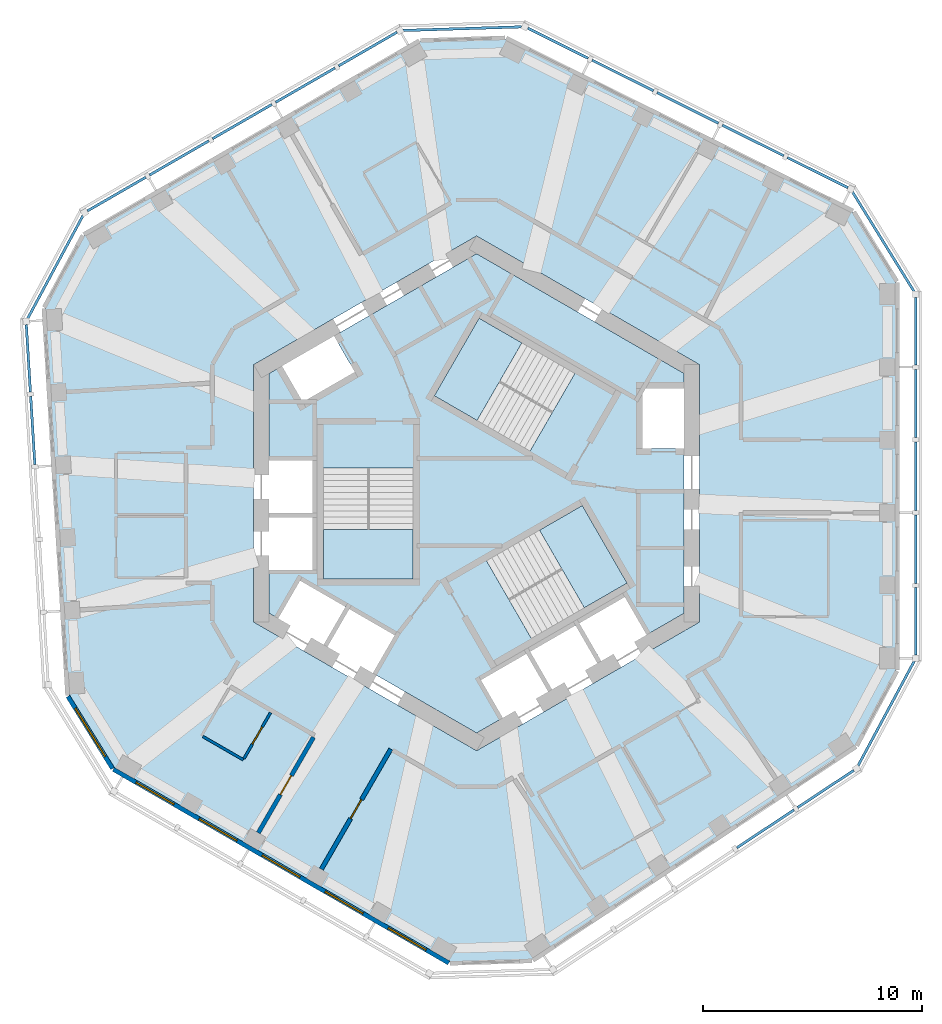
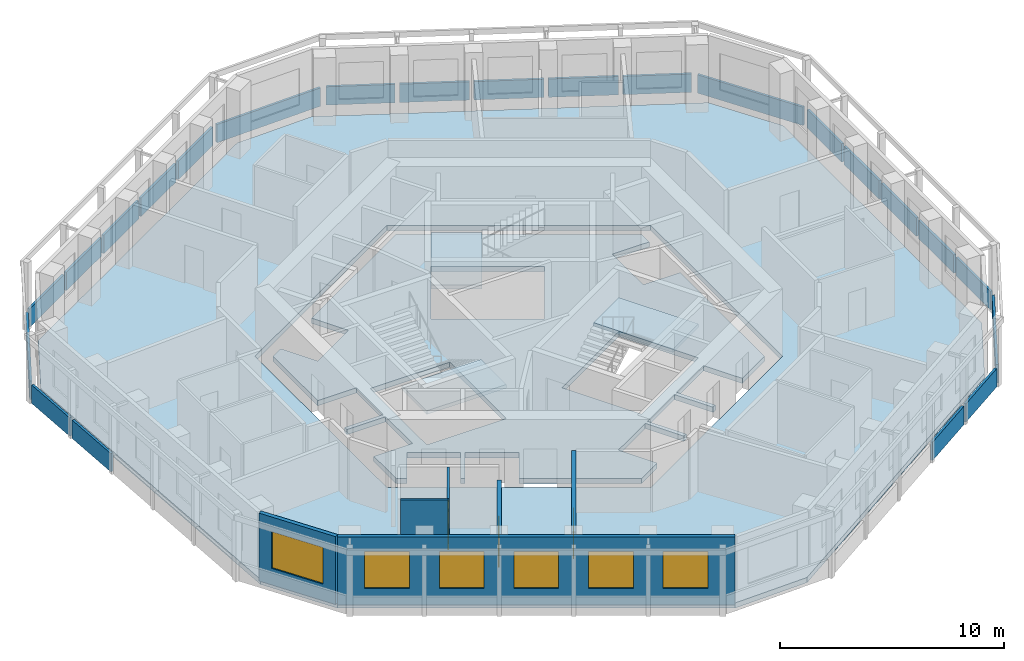
# One storey, part 3 of 11: 23 plates, 6 walls, 6 windows, 5 slabs, 3 doors, 9 openings, 12 elements without a shape of their own.
"""IFC4 building model written with IfcOpenShell, lengths in metres."""

from ifc_helpers import new_model, si_unit, direction, frame, frame_2d, origin, origin_2d, place, context, subcontext, project, spatial, polyline, rectangle, outline, extrude, material, layer, layer_set, type_object, element, fill, aggregate, save


model = new_model("IFC4")

# Units and contexts
model_context = context("Model", 3, precision=1e-05, world=origin(), true_north=direction((0.0, 1.0)))
body_context = subcontext(model_context, "Body", "Model", "MODEL_VIEW")
ifc_project = project(units=[si_unit("LENGTHUNIT", "METRE"), si_unit("AREAUNIT", "SQUARE_METRE"), si_unit("VOLUMEUNIT", "CUBIC_METRE"), si_unit("PLANEANGLEUNIT", "RADIAN"), si_unit("MASSUNIT", "GRAM", prefix="KILO")], contexts=[model_context])

# Site, building, storey
site_placement = place(None, origin())
site = spatial("IfcSite", under=ifc_project, at=site_placement, CompositionType="ELEMENT")
building_placement = place(site_placement, origin())
building = spatial("IfcBuilding", under=site, at=building_placement, Name="Vanh Sen Convention Tower", CompositionType="ELEMENT")
storey_placement = place(building_placement, frame((0.0, 0.0, 274.60009765625)))
storey = spatial("IfcBuildingStorey", under=building, at=storey_placement, Name="L68", CompositionType="ELEMENT", Elevation=274.60009765625)

# Slabs
ifc_material_1 = material(Name="Concrete C40/50", Category="concrete")
ifc_layer_1 = layer(ifc_material_1, 0.280029296875)
ifc_layer_set_1 = layer_set([ifc_layer_1], Name="Concrete C40/50")
slab_type_1 = type_object("IfcSlabType", Name="Core slab 280", PredefinedType="FLOOR", material=ifc_layer_set_1)
slab_1_placement = place(storey_placement, frame((0.0, 0.0, -0.280029296875)))
element("IfcSlab", 1, at=slab_1_placement, inside=storey, type_object=slab_type_1, Name="Core slab L68", PredefinedType="FLOOR", context=body_context, shape_type="SweptSolid", body=[
    extrude(outline(polyline([(0.0, 10.9697265625), (9.5, 5.48486328125), (9.5, 4.800048828125), (7.60009765625, 4.800048828125), (7.60009765625, 2.050048828125), (9.5, 2.050048828125), (9.5, -5.48486328125), (7.781005859375, -6.477294921875), (6.781005859375, -4.7451171875), (4.70263671875, -5.9453125), (5.70263671875, -7.67724609375), (5.529296875, -7.777099609375), (4.529296875, -6.045166015625), (2.450927734375, -7.2451171875), (3.450927734375, -8.977294921875), (3.27783203125, -9.0771484375), (2.27783203125, -7.34521484375), (0.19921875, -8.545166015625), (1.19921875, -10.277099609375), (0.0, -10.9697265625), (-4.75, -8.227294921875), (-3.75, -6.4951171875), (-5.82861328125, -5.295166015625), (-6.82861328125, -7.027099609375), (-7.001708984375, -6.92724609375), (-6.001708984375, -5.1953125), (-8.080078125, -3.9951171875), (-9.080078125, -5.727294921875), (-9.5, -5.48486328125), (-9.5, -3.5), (-7.5, -3.5), (-7.5, -1.10009765625), (-9.5, -1.10009765625), (-9.5, -0.89990234375), (-7.5, -0.89990234375), (-7.5, 1.5), (-9.5, 1.5), (-9.5, 5.48486328125), (-8.906982421875, 5.8271484375), (-7.956787109375, 4.181884765625), (-5.575439453125, 5.556884765625), (-6.525390625, 7.2021484375), (0.0, 10.9697265625)]), holes=[polyline([(-7.0, 1.1494140625), (-7.0, -3.909912109375), (-2.89990234375, -3.909912109375), (-2.89990234375, 1.1494140625), (-7.0, 1.1494140625)]), polyline([(2.504638671875, -6.63671875), (6.88623046875, -4.107177734375), (4.836181640625, -0.556396484375), (0.45458984375, -3.086181640625), (2.504638671875, -6.63671875)]), polyline([(0.11376953125, 8.01708984375), (-1.936279296875, 4.466552734375), (2.4453125, 1.936767578125), (4.495361328125, 5.487548828125), (0.11376953125, 8.01708984375)])]), origin(), (0.0, 0.0, 1.0), 0.280029296875),
])
ifc_layer_2 = layer(ifc_material_1, 0.280029296875)
ifc_layer_set_2 = layer_set([ifc_layer_2], Name="Concrete C40/50")
slab_type_2 = type_object("IfcSlabType", Name="Floor slab 280 REI 120", PredefinedType="FLOOR", material=ifc_layer_set_2)
slab_2_placement = place(storey_placement, frame((0.0, 0.0, -0.280029296875)))
element("IfcSlab", 2, at=slab_2_placement, inside=storey, type_object=slab_type_2, Name="Floor slab L68 tower", PredefinedType="FLOOR", context=body_context, shape_type="SweptSolid", body=[
    extrude(outline(polyline([(19.199951171875, -8.0966796875), (19.199951171875, 9.66162109375), (17.21337890625, 12.871826171875), (1.32080078125, 20.79541015625), (-2.587890625, 20.676025390625), (-17.967041015625, 11.796875), (-19.75390625, 8.471435546875), (-18.669921875, -9.25390625), (-16.612060546875, -12.579345703125), (-1.23291015625, -21.45849609375), (2.54052734375, -21.34326171875), (17.34912109375, -11.541748046875), (19.199951171875, -8.0966796875)]), holes=[polyline([(0.0, 11.77783203125), (-10.199951171875, 5.888916015625), (-10.199951171875, -5.888916015625), (0.0, -11.77783203125), (10.199951171875, -5.888916015625), (10.199951171875, 5.888916015625), (0.0, 11.77783203125)])]), origin(), (0.0, 0.0, 1.0), 0.280029296875),
])

# Curtain wall, plates
ifc_material_2 = material(Name="Concrete C50/60", Category="concrete")
curtain_wall_type = type_object("IfcCurtainWallType", Name="Outer skin office zone", PredefinedType="NOTDEFINED", material=ifc_material_2)
curtain_wall_1_placement = place(storey_placement, origin())
curtain_wall_1 = element("IfcCurtainWall", 3, at=curtain_wall_1_placement, inside=storey, type_object=curtain_wall_type, Name="OUTER SKIN E L68", PredefinedType="NOTDEFINED")
ifc_layer_3 = layer(ifc_material_2, 0.1201171875)
ifc_layer_set_3 = layer_set([ifc_layer_3], Name="Concrete C50/60")
plate_type = type_object("IfcPlateType", Name="Outer skin precast screen panel 120", PredefinedType="CURTAIN_PANEL", material=ifc_layer_set_3)
plate_1_placement = place(storey_placement, frame((20.10009765625, -5.85595703125, 0.0), z_axis=(0.0, 0.0, 1.0), x_axis=(0.0, 1.0, 0.0)))
plate_1 = element("IfcPlate", 4, at=plate_1_placement, type_object=plate_type, Name="OUTER SKIN screen panel E-1", PredefinedType="CURTAIN_PANEL", context=body_context, shape_type="SweptSolid", body=[
    extrude(rectangle(XDim=3.08154296875, YDim=0.1201171875, at=origin_2d()), origin(), (0.0, 0.0, 1.0), 1.0),
])
plate_2_placement = place(storey_placement, frame((20.10009765625, -2.54931640625, 0.0), z_axis=(0.0, 0.0, 1.0), x_axis=(0.0, 1.0, 0.0)))
plate_2 = element("IfcPlate", 5, at=plate_2_placement, type_object=plate_type, Name="OUTER SKIN screen panel E-2", PredefinedType="CURTAIN_PANEL", context=body_context, shape_type="SweptSolid", body=[
    extrude(rectangle(XDim=3.131591796875, YDim=0.1201171875, at=origin_2d()), origin(), (0.0, 0.0, 1.0), 1.0),
])
plate_3_placement = place(storey_placement, frame((20.10009765625, 0.782470703125, 0.0), z_axis=(0.0, 0.0, 1.0), x_axis=(0.0, 1.0, 0.0)))
plate_3 = element("IfcPlate", 6, at=plate_3_placement, type_object=plate_type, Name="OUTER SKIN screen panel E-3", PredefinedType="CURTAIN_PANEL", context=body_context, shape_type="SweptSolid", body=[
    extrude(rectangle(XDim=3.131591796875, YDim=0.1201171875, at=origin_2d()), origin(), (0.0, 0.0, 1.0), 1.0),
])
plate_4_placement = place(storey_placement, frame((20.10009765625, 4.114013671875, 0.0), z_axis=(0.0, 0.0, 1.0), x_axis=(0.0, 1.0, 0.0)))
plate_4 = element("IfcPlate", 7, at=plate_4_placement, type_object=plate_type, Name="OUTER SKIN screen panel E-4", PredefinedType="CURTAIN_PANEL", context=body_context, shape_type="SweptSolid", body=[
    extrude(rectangle(XDim=3.131591796875, YDim=0.1201171875, at=origin_2d()), origin(), (0.0, 0.0, 1.0), 1.0),
])
plate_5_placement = place(storey_placement, frame((20.10009765625, 7.420654296875, 0.0), z_axis=(0.0, 0.0, 1.0), x_axis=(0.0, 1.0, 0.0)))
plate_5 = element("IfcPlate", 8, at=plate_5_placement, type_object=plate_type, Name="OUTER SKIN screen panel E-5", PredefinedType="CURTAIN_PANEL", context=body_context, shape_type="SweptSolid", body=[
    extrude(rectangle(XDim=3.08154296875, YDim=0.1201171875, at=origin_2d()), origin(), (0.0, 0.0, 1.0), 1.0),
])
aggregate(curtain_wall_1, [plate_1, plate_2, plate_3, plate_4, plate_5])

# Curtain wall, plate
curtain_wall_2_placement = place(storey_placement, origin())
curtain_wall_2 = element("IfcCurtainWall", 9, at=curtain_wall_2_placement, inside=storey, type_object=curtain_wall_type, Name="OUTER SKIN CH1 L68", PredefinedType="NOTDEFINED")
plate_6_placement = place(storey_placement, frame((18.611328125, 11.51708984375, 0.0), z_axis=(0.0, 0.0, 1.0), x_axis=(-0.526218376078, 0.850349469734, 0.0)))
plate_6 = element("IfcPlate", 10, at=plate_6_placement, type_object=plate_type, Name="OUTER SKIN screen panel CH1-1", PredefinedType="CURTAIN_PANEL", context=body_context, shape_type="SweptSolid", body=[
    extrude(rectangle(XDim=5.35791015625, YDim=0.1201171875, at=origin_2d()), origin(), (0.0, 0.0, 1.0), 1.0),
])
aggregate(curtain_wall_2, [plate_6])

# Curtain wall, plates
curtain_wall_3_placement = place(storey_placement, origin())
curtain_wall_3 = element("IfcCurtainWall", 11, at=curtain_wall_3_placement, inside=storey, type_object=curtain_wall_type, Name="OUTER SKIN NE L68", PredefinedType="NOTDEFINED")
plate_7_placement = place(storey_placement, frame((15.609619140625, 14.677001953125, 0.0), z_axis=(0.0, 0.0, 1.0), x_axis=(-0.894931246532, 0.446204060919, 0.0)))
plate_7 = element("IfcPlate", 12, at=plate_7_placement, type_object=plate_type, Name="OUTER SKIN screen panel NE-1", PredefinedType="CURTAIN_PANEL", context=body_context, shape_type="SweptSolid", body=[
    extrude(rectangle(XDim=3.081787109375, YDim=0.1201171875, at=origin_2d()), origin(), (0.0, 0.0, 1.0), 1.0),
])
plate_8_placement = place(storey_placement, frame((12.650390625, 16.152587890625, 0.0), z_axis=(0.0, 0.0, 1.0), x_axis=(-0.894931246532, 0.446204060919, 0.0)))
plate_8 = element("IfcPlate", 13, at=plate_8_placement, type_object=plate_type, Name="OUTER SKIN screen panel NE-2", PredefinedType="CURTAIN_PANEL", context=body_context, shape_type="SweptSolid", body=[
    extrude(rectangle(XDim=3.131591796875, YDim=0.1201171875, at=origin_2d()), origin(), (0.0, 0.0, 1.0), 1.0),
])
plate_9_placement = place(storey_placement, frame((9.668701171875, 17.63916015625, 0.0), z_axis=(0.0, 0.0, 1.0), x_axis=(-0.894931246532, 0.446204060919, 0.0)))
plate_9 = element("IfcPlate", 14, at=plate_9_placement, type_object=plate_type, Name="OUTER SKIN screen panel NE-3", PredefinedType="CURTAIN_PANEL", context=body_context, shape_type="SweptSolid", body=[
    extrude(rectangle(XDim=3.131591796875, YDim=0.1201171875, at=origin_2d()), origin(), (0.0, 0.0, 1.0), 1.0),
])
plate_10_placement = place(storey_placement, frame((6.687255859375, 19.125732421875, 0.0), z_axis=(0.0, 0.0, 1.0), x_axis=(-0.89494292782, 0.446180631521, 0.0)))
plate_10 = element("IfcPlate", 15, at=plate_10_placement, type_object=plate_type, Name="OUTER SKIN screen panel NE-4", PredefinedType="CURTAIN_PANEL", context=body_context, shape_type="SweptSolid", body=[
    extrude(rectangle(XDim=3.131591796875, YDim=0.1201171875, at=origin_2d()), origin(), (0.0, 0.0, 1.0), 1.0),
])
plate_11_placement = place(storey_placement, frame((3.727783203125, 20.60107421875, 0.0), z_axis=(0.0, 0.0, 1.0), x_axis=(-0.894931246532, 0.446204060919, 0.0)))
plate_11 = element("IfcPlate", 16, at=plate_11_placement, type_object=plate_type, Name="OUTER SKIN screen panel NE-5", PredefinedType="CURTAIN_PANEL", context=body_context, shape_type="SweptSolid", body=[
    extrude(rectangle(XDim=3.081787109375, YDim=0.1201171875, at=origin_2d()), origin(), (0.0, 0.0, 1.0), 1.0),
])
aggregate(curtain_wall_3, [plate_7, plate_8, plate_9, plate_10, plate_11])

# Curtain wall, plate
curtain_wall_4_placement = place(storey_placement, origin())
curtain_wall_4 = element("IfcCurtainWall", 17, at=curtain_wall_4_placement, inside=storey, type_object=curtain_wall_type, Name="OUTER SKIN CH2 L68", PredefinedType="NOTDEFINED")
plate_12_placement = place(storey_placement, frame((-0.64990234375, 21.26806640625, 0.0), z_axis=(0.0, 0.0, 1.0), x_axis=(-0.99953391058, -0.030528046117, 0.0)))
plate_12 = element("IfcPlate", 18, at=plate_12_placement, type_object=plate_type, Name="OUTER SKIN screen panel CH2-1", PredefinedType="CURTAIN_PANEL", context=body_context, shape_type="SweptSolid", body=[
    extrude(rectangle(XDim=5.431640625, YDim=0.1201171875, at=origin_2d()), origin(), (0.0, 0.0, 1.0), 1.0),
])
aggregate(curtain_wall_4, [plate_12])

# Curtain wall, plates
curtain_wall_5_placement = place(storey_placement, origin())
curtain_wall_5 = element("IfcCurtainWall", 19, at=curtain_wall_5_placement, inside=storey, type_object=curtain_wall_type, Name="OUTER SKIN NW L68", PredefinedType="NOTDEFINED")
plate_13_placement = place(storey_placement, frame((-4.978515625, 20.335205078125, 0.0), z_axis=(0.0, 0.0, 1.0), x_axis=(-0.866015804314, -0.500016626402, 0.0)))
plate_13 = element("IfcPlate", 20, at=plate_13_placement, type_object=plate_type, Name="OUTER SKIN screen panel NW-1", PredefinedType="CURTAIN_PANEL", context=body_context, shape_type="SweptSolid", body=[
    extrude(rectangle(XDim=3.081787109375, YDim=0.1201171875, at=origin_2d()), origin(), (0.0, 0.0, 1.0), 1.0),
])
plate_14_placement = place(storey_placement, frame((-7.84228515625, 18.681640625, 0.0), z_axis=(0.0, 0.0, 1.0), x_axis=(-0.866028894422, -0.49999395399, 0.0)))
plate_14 = element("IfcPlate", 21, at=plate_14_placement, type_object=plate_type, Name="OUTER SKIN screen panel NW-2", PredefinedType="CURTAIN_PANEL", context=body_context, shape_type="SweptSolid", body=[
    extrude(rectangle(XDim=3.131591796875, YDim=0.1201171875, at=origin_2d()), origin(), (0.0, 0.0, 1.0), 1.0),
])
plate_15_placement = place(storey_placement, frame((-10.7275390625, 17.015869140625, 0.0), z_axis=(0.0, 0.0, 1.0), x_axis=(-0.866028894422, -0.49999395399, 0.0)))
plate_15 = element("IfcPlate", 22, at=plate_15_placement, type_object=plate_type, Name="OUTER SKIN screen panel NW-3", PredefinedType="CURTAIN_PANEL", context=body_context, shape_type="SweptSolid", body=[
    extrude(rectangle(XDim=3.131591796875, YDim=0.1201171875, at=origin_2d()), origin(), (0.0, 0.0, 1.0), 1.0),
])
plate_16_placement = place(storey_placement, frame((-13.61279296875, 15.35009765625, 0.0), z_axis=(0.0, 0.0, 1.0), x_axis=(-0.866015804314, -0.500016626402, 0.0)))
plate_16 = element("IfcPlate", 23, at=plate_16_placement, type_object=plate_type, Name="OUTER SKIN screen panel NW-4", PredefinedType="CURTAIN_PANEL", context=body_context, shape_type="SweptSolid", body=[
    extrude(rectangle(XDim=3.131591796875, YDim=0.1201171875, at=origin_2d()), origin(), (0.0, 0.0, 1.0), 1.0),
])
plate_17_placement = place(storey_placement, frame((-16.4765625, 13.69677734375, 0.0), z_axis=(0.0, 0.0, 1.0), x_axis=(-0.866028894422, -0.49999395399, 0.0)))
plate_17 = element("IfcPlate", 24, at=plate_17_placement, type_object=plate_type, Name="OUTER SKIN screen panel NW-5", PredefinedType="CURTAIN_PANEL", context=body_context, shape_type="SweptSolid", body=[
    extrude(rectangle(XDim=3.08154296875, YDim=0.1201171875, at=origin_2d()), origin(), (0.0, 0.0, 1.0), 1.0),
])
aggregate(curtain_wall_5, [plate_13, plate_14, plate_15, plate_16, plate_17])

# Curtain wall, plate
curtain_wall_6_placement = place(storey_placement, origin())
curtain_wall_6 = element("IfcCurtainWall", 25, at=curtain_wall_6_placement, inside=storey, type_object=curtain_wall_type, Name="OUTER SKIN CH3 L68", PredefinedType="NOTDEFINED")
plate_18_placement = place(storey_placement, frame((-19.27978515625, 10.359375, 0.0), z_axis=(0.0, 0.0, 1.0), x_axis=(-0.473324279511, -0.880888259897, 0.0)))
plate_18 = element("IfcPlate", 26, at=plate_18_placement, type_object=plate_type, Name="OUTER SKIN screen panel CH3-1", PredefinedType="CURTAIN_PANEL", context=body_context, shape_type="SweptSolid", body=[
    extrude(rectangle(XDim=5.35791015625, YDim=0.1201171875, at=origin_2d()), origin(), (0.0, 0.0, 1.0), 1.0),
])
aggregate(curtain_wall_6, [plate_18])

# Curtain wall, plates
curtain_wall_7_placement = place(storey_placement, origin())
curtain_wall_7 = element("IfcCurtainWall", 27, at=curtain_wall_7_placement, inside=storey, type_object=curtain_wall_type, Name="OUTER SKIN W L68", PredefinedType="NOTDEFINED")
plate_19_placement = place(storey_placement, frame((-20.515380859375, 6.1796875, 0.0), z_axis=(0.0, 0.0, 1.0), x_axis=(0.061052023682, -0.998134585316, 0.0)))
plate_19 = element("IfcPlate", 28, at=plate_19_placement, type_object=plate_type, Name="OUTER SKIN screen panel W-1", PredefinedType="CURTAIN_PANEL", context=body_context, shape_type="SweptSolid", body=[
    extrude(rectangle(XDim=3.08154296875, YDim=0.1201171875, at=origin_2d()), origin(), (0.0, 0.0, 1.0), 1.0),
])
plate_20_placement = place(storey_placement, frame((-20.313720703125, 2.87939453125, 0.0), z_axis=(0.0, 0.0, 1.0), x_axis=(0.061050281609, -0.998134691871, 0.0)))
plate_20 = element("IfcPlate", 29, at=plate_20_placement, type_object=plate_type, Name="OUTER SKIN screen panel W-2", PredefinedType="CURTAIN_PANEL", context=body_context, shape_type="SweptSolid", body=[
    extrude(rectangle(XDim=3.131591796875, YDim=0.1201171875, at=origin_2d()), origin(), (0.0, 0.0, 1.0), 1.0),
])
aggregate(curtain_wall_7, [plate_19, plate_20])

curtain_wall_8_placement = place(storey_placement, origin())
curtain_wall_8 = element("IfcCurtainWall", 30, at=curtain_wall_8_placement, inside=storey, type_object=curtain_wall_type, Name="OUTER SKIN SE L68", PredefinedType="NOTDEFINED")
plate_21_placement = place(storey_placement, frame((13.2197265625, -15.35400390625, 0.0), z_axis=(0.0, 0.0, 1.0), x_axis=(0.833879078823, 0.551947173108, 0.0)))
plate_21 = element("IfcPlate", 31, at=plate_21_placement, type_object=plate_type, Name="OUTER SKIN screen panel SE-4", PredefinedType="CURTAIN_PANEL", context=body_context, shape_type="SweptSolid", body=[
    extrude(rectangle(XDim=3.131591796875, YDim=0.1201171875, at=origin_2d()), origin(), (0.0, 0.0, 1.0), 1.0),
])
plate_22_placement = place(storey_placement, frame((15.97705078125, -13.529052734375, 0.0), z_axis=(0.0, 0.0, 1.0), x_axis=(0.833879078823, 0.551947173108, 0.0)))
plate_22 = element("IfcPlate", 32, at=plate_22_placement, type_object=plate_type, Name="OUTER SKIN screen panel SE-5", PredefinedType="CURTAIN_PANEL", context=body_context, shape_type="SweptSolid", body=[
    extrude(rectangle(XDim=3.081787109375, YDim=0.1201171875, at=origin_2d()), origin(), (0.0, 0.0, 1.0), 1.0),
])
aggregate(curtain_wall_8, [plate_21, plate_22])

# Curtain wall, plate
curtain_wall_9_placement = place(storey_placement, origin())
curtain_wall_9 = element("IfcCurtainWall", 33, at=curtain_wall_9_placement, inside=storey, type_object=curtain_wall_type, Name="OUTER SKIN CH6 L68", PredefinedType="NOTDEFINED")
plate_23_placement = place(storey_placement, frame((18.743408203125, -10.0712890625, 0.0), z_axis=(0.0, 0.0, 1.0), x_axis=(0.473324279511, 0.880888259897, 0.0)))
plate_23 = element("IfcPlate", 34, at=plate_23_placement, type_object=plate_type, Name="OUTER SKIN screen panel CH6-1", PredefinedType="CURTAIN_PANEL", context=body_context, shape_type="SweptSolid", body=[
    extrude(rectangle(XDim=5.431884765625, YDim=0.1201171875, at=origin_2d()), origin(), (0.0, 0.0, 1.0), 1.0),
])
aggregate(curtain_wall_9, [plate_23])

# Stair, slab
ifc_material_3 = material(Name="Concrete C50/60", Category="concrete")
stair_type_1 = type_object("IfcStairType", Name="Exit stair ST1 22 risers at 168.2", PredefinedType="HALF_TURN_STAIR", material=ifc_material_3)
stair_1_placement = place(storey_placement, origin())
stair_1 = element("IfcStair", 35, at=stair_1_placement, inside=storey, type_object=stair_type_1, Name="Exit stair ST1 L68", PredefinedType="HALF_TURN_STAIR")
ifc_layer_4 = layer(ifc_material_1, 0.199951171875)
ifc_layer_set_4 = layer_set([ifc_layer_4], Name="Concrete C40/50")
slab_type_3 = type_object("IfcSlabType", Name="Stair landing 200", PredefinedType="LANDING", material=ifc_layer_set_4)
slab_3_placement = place(storey_placement, frame((0.0, 0.0, 1.64990234375)))
slab_3 = element("IfcSlab", 36, at=slab_3_placement, type_object=slab_type_3, Name="ST1 landing 1", PredefinedType="LANDING", context=body_context, shape_type="SweptSolid", body=[
    extrude(outline(polyline([(2.07177734375, 6.88671875), (0.11376953125, 8.01708984375), (-1.936279296875, 4.466552734375), (0.021728515625, 3.336181640625), (2.07177734375, 6.88671875)])), origin(), (0.0, 0.0, 1.0), 0.199951171875),
])
aggregate(stair_1, [slab_3])

stair_type_2 = type_object("IfcStairType", Name="Exit stair ST2 22 risers at 168.2", PredefinedType="HALF_TURN_STAIR", material=ifc_material_3)
stair_2_placement = place(storey_placement, origin())
stair_2 = element("IfcStair", 37, at=stair_2_placement, inside=storey, type_object=stair_type_2, Name="Exit stair ST2 L68", PredefinedType="HALF_TURN_STAIR")
slab_4_placement = place(storey_placement, frame((0.0, 0.0, 1.64990234375)))
slab_4 = element("IfcSlab", 38, at=slab_4_placement, type_object=slab_type_3, Name="ST2 landing 1", PredefinedType="LANDING", context=body_context, shape_type="SweptSolid", body=[
    extrude(outline(polyline([(-7.0, -1.6494140625), (-7.0, -3.909912109375), (-2.89990234375, -3.909912109375), (-2.89990234375, -1.6494140625), (-7.0, -1.6494140625)])), origin(), (0.0, 0.0, 1.0), 0.199951171875),
])
aggregate(stair_2, [slab_4])

stair_type_3 = type_object("IfcStairType", Name="Exit stair ST3 22 risers at 168.2", PredefinedType="HALF_TURN_STAIR", material=ifc_material_3)
stair_3_placement = place(storey_placement, origin())
stair_3 = element("IfcStair", 39, at=stair_3_placement, inside=storey, type_object=stair_type_3, Name="Exit stair ST3 L68", PredefinedType="HALF_TURN_STAIR")
slab_5_placement = place(storey_placement, frame((0.0, 0.0, 1.64990234375)))
slab_5 = element("IfcSlab", 40, at=slab_5_placement, type_object=slab_type_3, Name="ST3 landing 1", PredefinedType="LANDING", context=body_context, shape_type="SweptSolid", body=[
    extrude(outline(polyline([(4.92822265625, -5.237548828125), (6.88623046875, -4.107177734375), (4.836181640625, -0.556396484375), (2.87841796875, -1.686767578125), (4.92822265625, -5.237548828125)])), origin(), (0.0, 0.0, 1.0), 0.199951171875),
])
aggregate(stair_3, [slab_5])

# Wall
ifc_material_4 = material(Name="Moisture-resistant gypsum board on steel studs", Category="steel")
ifc_layer_5 = layer(ifc_material_4, 0.1201171875)
ifc_layer_set_5 = layer_set([ifc_layer_5], Name="Moisture-resistant gypsum board on steel studs")
wall_type_1 = type_object("IfcWallType", Name="Bathroom partition 120", PredefinedType="PARTITIONING", material=ifc_layer_set_5)
wall_1_placement = place(storey_placement, frame((-10.67919921875, -12.1953125, 0.0), z_axis=(0.0, 0.0, 1.0), x_axis=(-0.866037418504, 0.499979189318, 0.0)))
element("IfcWall", 41, at=wall_1_placement, inside=storey, type_object=wall_type_1, Name="Bathroom partition 120", PredefinedType="PARTITIONING", context=body_context, shape_type="SweptSolid", body=[
    extrude(rectangle(XDim=2.14013671875, YDim=0.1201171875, at=frame_2d((1.070068359375, 0.0))), origin(), (0.0, 0.0, 1.0), 3.349853515625),
])

# Wall, opening, door
wall_2_placement = place(storey_placement, frame((-9.42919921875, -10.030029296875, 0.0), z_axis=(0.0, 0.0, 1.0), x_axis=(-0.500034220881, -0.866005645448, 0.0)))
wall_2 = element("IfcWall", 42, at=wall_2_placement, inside=storey, type_object=wall_type_1, Name="Bathroom partition 120", PredefinedType="PARTITIONING", context=body_context, shape_type="SweptSolid", body=[
    extrude(rectangle(XDim=2.440185546875, YDim=0.1201171875, at=frame_2d((1.22021484375, 0.0))), origin(), (0.0, 0.0, 1.0), 3.349853515625),
])
opening_1_placement = place(wall_2_placement, frame((0.77001953125, 0.0, 0.0)))
opening_1 = element("IfcOpeningElement", 43, at=opening_1_placement, cuts=wall_2, Name="Opening D67113", PredefinedType="OPENING", context=body_context, shape_type="SweptSolid", body=[
    extrude(rectangle(XDim=0.89990234375, YDim=2.10009765625, at=frame_2d((0.449951171875, 1.050048828125))), frame((0.0, 0.070068359375, 0.0), z_axis=(0.0, -1.0, 0.0), x_axis=(1.0, 0.0, 0.0)), (0.0, 0.0, 1.0), 0.14013671875),
])
ifc_material_5 = material(Name="Laminate door in steel frame", Category="steel")
door_type_1 = type_object("IfcDoorType", Name="Room internal door 900", OperationType="SINGLE_SWING_LEFT", PredefinedType="DOOR", material=ifc_material_5)
door_1_placement = place(opening_1_placement, origin())
door_1 = element("IfcDoor", 44, at=door_1_placement, inside=storey, type_object=door_type_1, Name="Internal room door D67113", OperationType="SINGLE_SWING_LEFT", OverallHeight=2.10009765625, OverallWidth=0.89990234375, PredefinedType="DOOR", context=body_context, shape_type="SweptSolid", body=[
    extrude(rectangle(XDim=0.89990234375, YDim=2.10009765625, at=frame_2d((0.449951171875, 1.050048828125))), frame((0.0, 0.02490234375, 0.0), z_axis=(0.0, -1.0, 0.0), x_axis=(1.0, 0.0, 0.0)), (0.0, 0.0, 1.0), 0.050048828125),
])
fill(opening_1, door_1)

ifc_material_6 = material(Name="Gypsum board on steel studs with mineral wool", Category="steel")
ifc_layer_6 = layer(ifc_material_6, 0.199951171875)
ifc_layer_set_6 = layer_set([ifc_layer_6], Name="Gypsum board on steel studs with mineral wool")
wall_type_2 = type_object("IfcWallType", Name="Corridor partition wall 200", PredefinedType="PARTITIONING", material=ifc_layer_set_6)
wall_3_placement = place(storey_placement, frame((-9.989990234375, -15.53662109375, 0.0), z_axis=(0.0, 0.0, 1.0), x_axis=(0.499966611936, 0.866044679534, 0.0)))
wall_3 = element("IfcWall", 45, at=wall_3_placement, inside=storey, type_object=wall_type_2, Name="Corridor partition wall 200", PredefinedType="PARTITIONING", context=body_context, shape_type="SweptSolid", body=[
    extrude(rectangle(XDim=5.049072265625, YDim=0.199951171875, at=frame_2d((2.5244140625, 0.0))), origin(), (0.0, 0.0, 1.0), 2.64990234375),
])
opening_2_placement = place(wall_3_placement, frame((2.0244140625, 0.0, 0.0)))
opening_2 = element("IfcOpeningElement", 46, at=opening_2_placement, cuts=wall_3, Name="Opening D67112", PredefinedType="OPENING", context=body_context, shape_type="SweptSolid", body=[
    extrude(rectangle(XDim=1.0, YDim=2.10009765625, at=frame_2d((0.5, 1.050048828125))), frame((0.0, 0.10986328125, 0.0), z_axis=(0.0, -1.0, 0.0), x_axis=(1.0, 0.0, 0.0)), (0.0, 0.0, 1.0), 0.219970703125),
])
ifc_material_7 = material(Name="Glazed fire door in steel frame", Category="steel")
door_type_2 = type_object("IfcDoorType", Name="Tenant entrance door 1000", OperationType="SINGLE_SWING_LEFT", PredefinedType="DOOR", material=ifc_material_7)
door_2_placement = place(opening_2_placement, origin())
door_2 = element("IfcDoor", 47, at=door_2_placement, inside=storey, type_object=door_type_2, Name="Tenant suite entrance door D67112", OperationType="SINGLE_SWING_LEFT", OverallHeight=2.10009765625, OverallWidth=1.0, PredefinedType="DOOR", context=body_context, shape_type="SweptSolid", body=[
    extrude(rectangle(XDim=1.0, YDim=2.10009765625, at=frame_2d((0.5, 1.050048828125))), frame((0.0, 0.02490234375, 0.0), z_axis=(0.0, -1.0, 0.0), x_axis=(1.0, 0.0, 0.0)), (0.0, 0.0, 1.0), 0.050048828125),
])
fill(opening_2, door_2)

wall_4_placement = place(storey_placement, frame((-7.104736328125, -17.202392578125, 0.0), z_axis=(0.0, 0.0, 1.0), x_axis=(0.499988692146, 0.866031932279, 0.0)))
wall_4 = element("IfcWall", 48, at=wall_4_placement, inside=storey, type_object=wall_type_2, Name="Corridor partition wall 200", PredefinedType="PARTITIONING", context=body_context, shape_type="SweptSolid", body=[
    extrude(rectangle(XDim=6.350341796875, YDim=0.199951171875, at=frame_2d((3.17529296875, 0.0))), origin(), (0.0, 0.0, 1.0), 3.349853515625),
])
opening_3_placement = place(wall_4_placement, frame((2.675048828125, 0.0, 0.0)))
opening_3 = element("IfcOpeningElement", 49, at=opening_3_placement, cuts=wall_4, Name="Opening D67114", PredefinedType="OPENING", context=body_context, shape_type="SweptSolid", body=[
    extrude(rectangle(XDim=1.0, YDim=2.10009765625, at=frame_2d((0.5, 1.050048828125))), frame((0.0, 0.10986328125, 0.0), z_axis=(0.0, -1.0, 0.0), x_axis=(1.0, 0.0, 0.0)), (0.0, 0.0, 1.0), 0.219970703125),
])
door_3_placement = place(opening_3_placement, origin())
door_3 = element("IfcDoor", 50, at=door_3_placement, inside=storey, type_object=door_type_2, Name="Tenant suite entrance door D67114", OperationType="SINGLE_SWING_LEFT", OverallHeight=2.10009765625, OverallWidth=1.0, PredefinedType="DOOR", context=body_context, shape_type="SweptSolid", body=[
    extrude(rectangle(XDim=1.0, YDim=2.10009765625, at=frame_2d((0.5, 1.050048828125))), frame((0.0, 0.02490234375, 0.0), z_axis=(0.0, -1.0, 0.0), x_axis=(1.0, 0.0, 0.0)), (0.0, 0.0, 1.0), 0.050048828125),
])
fill(opening_3, door_3)

# Wall, opening, window
ifc_material_8 = material(Name="Insulated lightweight infill wall")
ifc_layer_7 = layer(ifc_material_8, 0.199951171875)
ifc_layer_set_7 = layer_set([ifc_layer_7], Name="Insulated lightweight infill wall")
wall_type_3 = type_object("IfcWallType", Name="External wall 200", PredefinedType="STANDARD", material=ifc_layer_set_7)
wall_5_placement = place(storey_placement, frame((-18.705810546875, -9.290771484375, 0.0), z_axis=(0.0, 0.0, 1.0), x_axis=(0.526209683648, -0.850354848775, 0.0)))
wall_5 = element("IfcWall", 51, at=wall_5_placement, inside=storey, type_object=wall_type_3, Name="External wall CH4 L68", PredefinedType="STANDARD", context=body_context, shape_type="SweptSolid", body=[
    extrude(rectangle(XDim=3.8857421875, YDim=0.199951171875, at=frame_2d((1.94287109375, 0.0))), origin(), (0.0, 0.0, 1.0), 3.699951171875),
])
opening_4_placement = place(wall_5_placement, frame((0.642822265625, 0.0, 0.89990234375)))
opening_4 = element("IfcOpeningElement", 52, at=opening_4_placement, cuts=wall_5, Name="Opening WO6-CH41", PredefinedType="OPENING", context=body_context, shape_type="SweptSolid", body=[
    extrude(rectangle(XDim=2.60009765625, YDim=2.0, at=frame_2d((1.300048828125, 1.0))), frame((0.0, 0.10986328125, 0.0), z_axis=(0.0, -1.0, 0.0), x_axis=(1.0, 0.0, 0.0)), (0.0, 0.0, 1.0), 0.219970703125),
])
ifc_material_9 = material(Name="Aluminium frame with clear low-emissivity glass", Category="aluminium")
window_type_1 = type_object("IfcWindowType", Name="Office window 2600 x 2000", PartitioningType="SINGLE_PANEL", PredefinedType="WINDOW", material=ifc_material_9)
window_1_placement = place(opening_4_placement, origin())
window_1 = element("IfcWindow", 53, at=window_1_placement, inside=storey, type_object=window_type_1, Name="Window WO6-CH41", OverallHeight=2.0, OverallWidth=2.60009765625, PartitioningType="SINGLE_PANEL", PredefinedType="WINDOW", context=body_context, shape_type="SweptSolid", body=[
    extrude(rectangle(XDim=2.60009765625, YDim=2.0, at=frame_2d((1.300048828125, 1.0))), frame((0.0, 0.030029296875, 0.0), z_axis=(0.0, -1.0, 0.0), x_axis=(1.0, 0.0, 0.0)), (0.0, 0.0, 1.0), 0.06005859375),
])
fill(opening_4, window_1)

# Wall, openings, windows
wall_6_placement = place(storey_placement, frame((-16.626220703125, -12.62890625, 0.0), z_axis=(0.0, 0.0, 1.0), x_axis=(0.866026460444, -0.499998169808, 0.0)))
wall_6 = element("IfcWall", 54, at=wall_6_placement, inside=storey, type_object=wall_type_3, Name="External wall SW L68", PredefinedType="STANDARD", context=body_context, shape_type="SweptSolid", body=[
    extrude(rectangle(XDim=17.7314453125, YDim=0.199951171875, at=frame_2d((8.86572265625, 0.0))), origin(), (0.0, 0.0, 1.0), 3.699951171875),
])
opening_5_placement = place(wall_6_placement, frame((1.203125, 0.0, 0.89990234375)))
opening_5 = element("IfcOpeningElement", 55, at=opening_5_placement, cuts=wall_6, Name="Opening WO5-SW1", PredefinedType="OPENING", context=body_context, shape_type="SweptSolid", body=[
    extrude(rectangle(XDim=2.0, YDim=2.0, at=frame_2d((1.0, 1.0))), frame((0.0, 0.10986328125, 0.0), z_axis=(0.0, -1.0, 0.0), x_axis=(1.0, 0.0, 0.0)), (0.0, 0.0, 1.0), 0.219970703125),
])
opening_6_placement = place(wall_6_placement, frame((4.534912109375, 0.0, 0.89990234375)))
opening_6 = element("IfcOpeningElement", 56, at=opening_6_placement, cuts=wall_6, Name="Opening WO5-SW2", PredefinedType="OPENING", context=body_context, shape_type="SweptSolid", body=[
    extrude(rectangle(XDim=2.0, YDim=2.0, at=frame_2d((1.0, 1.0))), frame((0.0, 0.10986328125, 0.0), z_axis=(0.0, -1.0, 0.0), x_axis=(1.0, 0.0, 0.0)), (0.0, 0.0, 1.0), 0.219970703125),
])
opening_7_placement = place(wall_6_placement, frame((7.86669921875, 0.0, 0.89990234375)))
opening_7 = element("IfcOpeningElement", 57, at=opening_7_placement, cuts=wall_6, Name="Opening WO5-SW3", PredefinedType="OPENING", context=body_context, shape_type="SweptSolid", body=[
    extrude(rectangle(XDim=2.0, YDim=2.0, at=frame_2d((1.0, 1.0))), frame((0.0, 0.10986328125, 0.0), z_axis=(0.0, -1.0, 0.0), x_axis=(1.0, 0.0, 0.0)), (0.0, 0.0, 1.0), 0.219970703125),
])
opening_8_placement = place(wall_6_placement, frame((11.1982421875, 0.0, 0.89990234375)))
opening_8 = element("IfcOpeningElement", 58, at=opening_8_placement, cuts=wall_6, Name="Opening WO5-SW4", PredefinedType="OPENING", context=body_context, shape_type="SweptSolid", body=[
    extrude(rectangle(XDim=2.0, YDim=2.0, at=frame_2d((1.0, 1.0))), frame((0.0, 0.10986328125, 0.0), z_axis=(0.0, -1.0, 0.0), x_axis=(1.0, 0.0, 0.0)), (0.0, 0.0, 1.0), 0.219970703125),
])
opening_9_placement = place(wall_6_placement, frame((14.52978515625, 0.0, 0.89990234375)))
opening_9 = element("IfcOpeningElement", 59, at=opening_9_placement, cuts=wall_6, Name="Opening WO5-SW5", PredefinedType="OPENING", context=body_context, shape_type="SweptSolid", body=[
    extrude(rectangle(XDim=2.0, YDim=2.0, at=frame_2d((1.0, 1.0))), frame((0.0, 0.10986328125, 0.0), z_axis=(0.0, -1.0, 0.0), x_axis=(1.0, 0.0, 0.0)), (0.0, 0.0, 1.0), 0.219970703125),
])
window_type_2 = type_object("IfcWindowType", Name="Office window 2000 x 2000", PartitioningType="SINGLE_PANEL", PredefinedType="WINDOW", material=ifc_material_9)
window_2_placement = place(opening_5_placement, origin())
window_2 = element("IfcWindow", 60, at=window_2_placement, inside=storey, type_object=window_type_2, Name="Window WO5-SW1", OverallHeight=2.0, OverallWidth=2.0, PartitioningType="SINGLE_PANEL", PredefinedType="WINDOW", context=body_context, shape_type="SweptSolid", body=[
    extrude(rectangle(XDim=2.0, YDim=2.0, at=frame_2d((1.0, 1.0))), frame((0.0, 0.030029296875, 0.0), z_axis=(0.0, -1.0, 0.0), x_axis=(1.0, 0.0, 0.0)), (0.0, 0.0, 1.0), 0.06005859375),
])
fill(opening_5, window_2)
window_3_placement = place(opening_6_placement, origin())
window_3 = element("IfcWindow", 61, at=window_3_placement, inside=storey, type_object=window_type_2, Name="Window WO5-SW2", OverallHeight=2.0, OverallWidth=2.0, PartitioningType="SINGLE_PANEL", PredefinedType="WINDOW", context=body_context, shape_type="SweptSolid", body=[
    extrude(rectangle(XDim=2.0, YDim=2.0, at=frame_2d((1.0, 1.0))), frame((0.0, 0.030029296875, 0.0), z_axis=(0.0, -1.0, 0.0), x_axis=(1.0, 0.0, 0.0)), (0.0, 0.0, 1.0), 0.06005859375),
])
fill(opening_6, window_3)
window_4_placement = place(opening_7_placement, origin())
window_4 = element("IfcWindow", 62, at=window_4_placement, inside=storey, type_object=window_type_2, Name="Window WO5-SW3", OverallHeight=2.0, OverallWidth=2.0, PartitioningType="SINGLE_PANEL", PredefinedType="WINDOW", context=body_context, shape_type="SweptSolid", body=[
    extrude(rectangle(XDim=2.0, YDim=2.0, at=frame_2d((1.0, 1.0))), frame((0.0, 0.030029296875, 0.0), z_axis=(0.0, -1.0, 0.0), x_axis=(1.0, 0.0, 0.0)), (0.0, 0.0, 1.0), 0.06005859375),
])
fill(opening_7, window_4)
window_5_placement = place(opening_8_placement, origin())
window_5 = element("IfcWindow", 63, at=window_5_placement, inside=storey, type_object=window_type_2, Name="Window WO5-SW4", OverallHeight=2.0, OverallWidth=2.0, PartitioningType="SINGLE_PANEL", PredefinedType="WINDOW", context=body_context, shape_type="SweptSolid", body=[
    extrude(rectangle(XDim=2.0, YDim=2.0, at=frame_2d((1.0, 1.0))), frame((0.0, 0.030029296875, 0.0), z_axis=(0.0, -1.0, 0.0), x_axis=(1.0, 0.0, 0.0)), (0.0, 0.0, 1.0), 0.06005859375),
])
fill(opening_8, window_5)
window_6_placement = place(opening_9_placement, origin())
window_6 = element("IfcWindow", 64, at=window_6_placement, inside=storey, type_object=window_type_2, Name="Window WO5-SW5", OverallHeight=2.0, OverallWidth=2.0, PartitioningType="SINGLE_PANEL", PredefinedType="WINDOW", context=body_context, shape_type="SweptSolid", body=[
    extrude(rectangle(XDim=2.0, YDim=2.0, at=frame_2d((1.0, 1.0))), frame((0.0, 0.030029296875, 0.0), z_axis=(0.0, -1.0, 0.0), x_axis=(1.0, 0.0, 0.0)), (0.0, 0.0, 1.0), 0.06005859375),
])
fill(opening_9, window_6)

save(model, "model.ifc")
